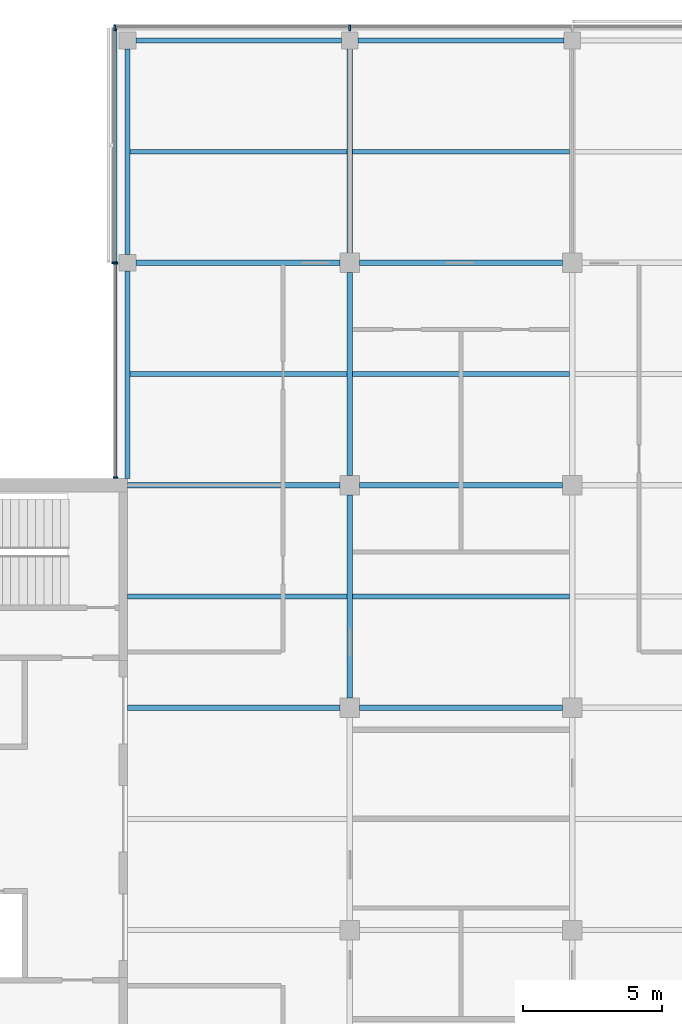
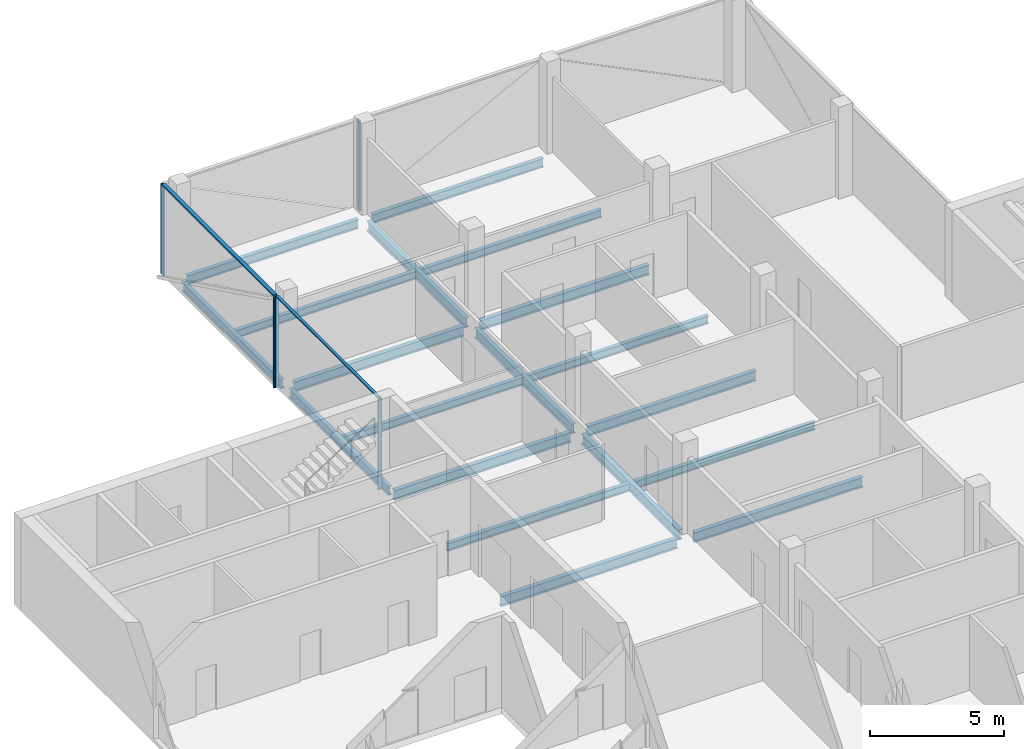
# One storey, part 5 of 16: 19 beams, 7 members, 3 elements without a shape of their own.
"""IFC4 building model written with IfcOpenShell, lengths in metres."""

from ifc_helpers import new_model, si_unit, direction, frame, origin, origin_2d, place, context, subcontext, project, spatial, rectangle, i_section, extrude, material, material_profile, profile_set, type_object, element, aggregate, save


model = new_model("IFC4")

# Units and contexts
model_context = context("Model", 3, precision=1e-05, world=origin(), true_north=direction((0.0, 1.0)))
body_context = subcontext(model_context, "Body", "Model", "MODEL_VIEW")
ifc_project = project(units=[si_unit("LENGTHUNIT", "METRE"), si_unit("AREAUNIT", "SQUARE_METRE"), si_unit("VOLUMEUNIT", "CUBIC_METRE"), si_unit("PLANEANGLEUNIT", "RADIAN"), si_unit("MASSUNIT", "GRAM", prefix="KILO")], contexts=[model_context])

# Site, building, storey
site_placement = place(None, origin())
site = spatial("IfcSite", under=ifc_project, at=site_placement, CompositionType="ELEMENT")
building_placement = place(site_placement, origin())
building = spatial("IfcBuilding", under=site, at=building_placement, Name="Crosswind Convention Tower", CompositionType="ELEMENT")
storey_placement = place(building_placement, frame((0.0, 0.0, 253.5)))
storey = spatial("IfcBuildingStorey", under=building, at=storey_placement, Name="L54", CompositionType="ELEMENT", Elevation=253.5)

# Beams
ifc_material_1 = material(Name="Steel S355", Category="steel")
ifc_material_profile_1 = material_profile(ifc_material_1, i_section(OverallWidth=0.177734375, OverallDepth=0.406494140625, WebThickness=0.0078125, FlangeThickness=0.0126953125, FilletRadius=0.01025390625, at=origin_2d()), Name="UB 406x178x60")
ifc_profile_set_1 = profile_set([ifc_material_profile_1], Name="Steel S355")
beam_type_1 = type_object("IfcBeamType", Name="Edge beam UB 406x178x60", PredefinedType="SPANDREL", material=ifc_profile_set_1)
beam_1_placement = place(storey_placement, frame((113.0, 112.25, -0.503173828125), z_axis=(0.0, 1.0, 0.0), x_axis=(-1.0, 0.0, 0.0)))
element("IfcBeam", 1, at=beam_1_placement, inside=storey, type_object=beam_type_1, Name="B15 L54 edge beam 3", PredefinedType="SPANDREL", context=body_context, shape_type="SweptSolid", body=[
    extrude(i_section(OverallWidth=0.177734375, OverallDepth=0.406494140625, WebThickness=0.0078125, FlangeThickness=0.0126953125, FilletRadius=0.01025390625, at=origin_2d()), origin(), (0.0, 0.0, 1.0), 7.449951171875),
])
for number, where, z_axis, x_axis, name in (
    (2, (113.0, 120.300048828125, -0.503173828125), (0.0, 1.0, 0.0), (-1.0, 0.0, 0.0), "B15 L54 edge beam 4"),
    (3, (113.300048828125, 128.0, -0.503173828125), (1.0, 0.0, 0.0), (0.0, 1.0, 0.0), "B15 L54 edge beam 6"),
    (4, (121.300048828125, 128.0, -0.503173828125), (1.0, 0.0, 0.0), (0.0, 1.0, 0.0), "B15 L54 edge beam 8"),
):
    element("IfcBeam", number, at=place(storey_placement, frame(where, z_axis=z_axis, x_axis=x_axis)), inside=storey, type_object=beam_type_1, Name=name, PredefinedType="SPANDREL", context=body_context, shape_type="SweptSolid", body=[
        extrude(i_section(OverallWidth=0.177734375, OverallDepth=0.406494140625, WebThickness=0.0078125, FlangeThickness=0.0126953125, FilletRadius=0.01025390625, at=origin_2d()), origin(), (0.0, 0.0, 1.0), 7.39990234375),
    ])
ifc_material_profile_2 = material_profile(ifc_material_1, i_section(OverallWidth=0.18994140625, OverallDepth=0.45361328125, WebThickness=0.008544921875, FlangeThickness=0.0126953125, FilletRadius=0.01025390625, at=origin_2d()), Name="UB 457x191x67")
ifc_profile_set_2 = profile_set([ifc_material_profile_2], Name="Steel S355")
beam_type_2 = type_object("IfcBeamType", Name="Girder UB 457x191x67", PredefinedType="BEAM", material=ifc_profile_set_2)
beam_2_placement = place(storey_placement, frame((113.300048828125, 120.0, -0.52685546875), z_axis=(1.0, 0.0, 0.0), x_axis=(0.0, 1.0, 0.0)))
element("IfcBeam", 5, at=beam_2_placement, inside=storey, type_object=beam_type_2, Name="B1 L54 girder 2", PredefinedType="BEAM", context=body_context, shape_type="SweptSolid", body=[
    extrude(i_section(OverallWidth=0.18994140625, OverallDepth=0.45361328125, WebThickness=0.008544921875, FlangeThickness=0.0126953125, FilletRadius=0.01025390625, at=origin_2d()), origin(), (0.0, 0.0, 1.0), 7.349853515625),
])
for number, where, z_axis, x_axis, name in (
    (6, (121.0, 104.35009765625, -0.52685546875), (0.0, 1.0, 0.0), (-1.0, 0.0, 0.0), "B1 L54 girder 7"),
    (7, (121.0, 112.35009765625, -0.52685546875), (0.0, 1.0, 0.0), (-1.0, 0.0, 0.0), "B1 L54 girder 8"),
):
    element("IfcBeam", number, at=place(storey_placement, frame(where, z_axis=z_axis, x_axis=x_axis)), inside=storey, type_object=beam_type_2, Name=name, PredefinedType="BEAM", context=body_context, shape_type="SweptSolid", body=[
        extrude(i_section(OverallWidth=0.18994140625, OverallDepth=0.45361328125, WebThickness=0.008544921875, FlangeThickness=0.0126953125, FilletRadius=0.01025390625, at=origin_2d()), origin(), (0.0, 0.0, 1.0), 7.2998046875),
    ])
beam_3_placement = place(storey_placement, frame((121.0, 120.35009765625, -0.52685546875), z_axis=(0.0, 1.0, 0.0), x_axis=(-1.0, 0.0, 0.0)))
element("IfcBeam", 8, at=beam_3_placement, inside=storey, type_object=beam_type_2, Name="B1 L54 girder 9", PredefinedType="BEAM", context=body_context, shape_type="SweptSolid", body=[
    extrude(i_section(OverallWidth=0.18994140625, OverallDepth=0.45361328125, WebThickness=0.008544921875, FlangeThickness=0.0126953125, FilletRadius=0.01025390625, at=origin_2d()), origin(), (0.0, 0.0, 1.0), 7.349853515625),
])
for number, where, z_axis, x_axis, name in (
    (9, (121.35009765625, 104.0, -0.52685546875), (1.0, 0.0, 0.0), (0.0, 1.0, 0.0), "B1 L54 girder 13"),
    (10, (121.35009765625, 112.0, -0.52685546875), (1.0, 0.0, 0.0), (0.0, 1.0, 0.0), "B1 L54 girder 14"),
    (11, (121.35009765625, 120.0, -0.52685546875), (1.0, 0.0, 0.0), (0.0, 1.0, 0.0), "B1 L54 girder 15"),
):
    element("IfcBeam", number, at=place(storey_placement, frame(where, z_axis=z_axis, x_axis=x_axis)), inside=storey, type_object=beam_type_2, Name=name, PredefinedType="BEAM", context=body_context, shape_type="SweptSolid", body=[
        extrude(i_section(OverallWidth=0.18994140625, OverallDepth=0.45361328125, WebThickness=0.008544921875, FlangeThickness=0.0126953125, FilletRadius=0.01025390625, at=origin_2d()), origin(), (0.0, 0.0, 1.0), 7.2998046875),
    ])
ifc_material_profile_3 = material_profile(ifc_material_1, i_section(OverallWidth=0.1904296875, OverallDepth=0.457275390625, WebThickness=0.009033203125, FlangeThickness=0.014404296875, FilletRadius=0.01025390625, at=origin_2d()), Name="UB 457x191x75")
ifc_profile_set_3 = profile_set([ifc_material_profile_3], Name="Steel S355")
beam_type_3 = type_object("IfcBeamType", Name="Girder at core wall UB 457x191x75", PredefinedType="BEAM", material=ifc_profile_set_3)
for number, where, z_axis, x_axis, name in (
    (12, (113.0, 104.0, -0.528564453125), (1.0, 0.0, 0.0), (0.0, 1.0, 0.0), "B22 L54 girder at core wall 3"),
    (13, (113.0, 112.0, -0.528564453125), (1.0, 0.0, 0.0), (0.0, 1.0, 0.0), "B22 L54 girder at core wall 4"),
):
    element("IfcBeam", number, at=place(storey_placement, frame(where, z_axis=z_axis, x_axis=x_axis)), inside=storey, type_object=beam_type_3, Name=name, PredefinedType="BEAM", context=body_context, shape_type="SweptSolid", body=[
        extrude(i_section(OverallWidth=0.1904296875, OverallDepth=0.457275390625, WebThickness=0.009033203125, FlangeThickness=0.014404296875, FilletRadius=0.01025390625, at=origin_2d()), origin(), (0.0, 0.0, 1.0), 7.64990234375),
    ])

# Curtain wall, members
ifc_material_2 = material(Name="Aluminium unitised curtain wall", Category="aluminium")
curtain_wall_type_1 = type_object("IfcCurtainWallType", Name="CORE END SLOT WALL 160", PredefinedType="USERDEFINED", material=ifc_material_2)
curtain_wall_1_placement = place(storey_placement, origin())
curtain_wall_1 = element("IfcCurtainWall", 14, at=curtain_wall_1_placement, inside=storey, type_object=curtain_wall_type_1, Name="CW6 L54 N-W.1-2 slot", ObjectType="UNITISED", PredefinedType="USERDEFINED")
ifc_material_3 = material(Name="Aluminium mullion", Category="aluminium")
ifc_material_profile_4 = material_profile(ifc_material_3, rectangle(XDim=0.159912109375, YDim=0.050048828125, at=origin_2d()), Name="AL 160X50")
ifc_profile_set_4 = profile_set([ifc_material_profile_4], Name="Aluminium mullion")
member_type_1 = type_object("IfcMemberType", Name="MULLION 50X160", PredefinedType="MULLION", material=ifc_profile_set_4)
member_1_placement = place(storey_placement, frame((112.570068359375, 119.97509765625, -0.300048828125), z_axis=(0.0, 0.0, 1.0), x_axis=(-1.0, 0.0, 0.0)))
member_1 = element("IfcMember", 15, at=member_1_placement, type_object=member_type_1, Name="CW6 mullion 1", PredefinedType="MULLION", context=body_context, shape_type="SweptSolid", body=[
    extrude(rectangle(XDim=0.159912109375, YDim=0.050048828125, at=origin_2d()), origin(), (0.0, 0.0, 1.0), 4.150146484375),
])
member_2_placement = place(storey_placement, frame((112.570068359375, 112.27490234375, -0.300048828125), z_axis=(0.0, 0.0, 1.0), x_axis=(-1.0, 0.0, 0.0)))
member_2 = element("IfcMember", 16, at=member_2_placement, type_object=member_type_1, Name="CW6 mullion 2", PredefinedType="MULLION", context=body_context, shape_type="SweptSolid", body=[
    extrude(rectangle(XDim=0.159912109375, YDim=0.050048828125, at=origin_2d()), origin(), (0.0, 0.0, 1.0), 4.150146484375),
])

curtain_wall_type_2 = type_object("IfcCurtainWallType", Name="OFFICE UNITISED WALL 220", PredefinedType="USERDEFINED", material=ifc_material_2)
curtain_wall_2_placement = place(storey_placement, origin())
curtain_wall_2 = element("IfcCurtainWall", 17, at=curtain_wall_2_placement, inside=storey, type_object=curtain_wall_type_2, Name="CW3 L54 N-TIP 1", ObjectType="UNITISED", PredefinedType="USERDEFINED")
ifc_material_profile_5 = material_profile(ifc_material_3, rectangle(XDim=0.219970703125, YDim=0.070068359375, at=origin_2d()), Name="AL 220X70")
ifc_profile_set_5 = profile_set([ifc_material_profile_5], Name="Aluminium mullion")
member_type_2 = type_object("IfcMemberType", Name="MULLION 70X220", PredefinedType="MULLION", material=ifc_profile_set_5)
member_3_placement = place(storey_placement, frame((121.0, 128.4599609375, -0.300048828125), z_axis=(0.0, 0.0, 1.0), x_axis=(0.0, 1.0, 0.0)))
member_3 = element("IfcMember", 18, at=member_3_placement, type_object=member_type_2, Name="CW3 mullion 3", PredefinedType="MULLION", context=body_context, shape_type="SweptSolid", body=[
    extrude(rectangle(XDim=0.219970703125, YDim=0.070068359375, at=origin_2d()), origin(), (0.0, 0.0, 1.0), 4.130126953125),
])
member_4_placement = place(storey_placement, frame((112.5400390625, 128.4599609375, -0.300048828125), z_axis=(0.0, 0.0, 1.0), x_axis=(0.0, 1.0, 0.0)))
member_4 = element("IfcMember", 19, at=member_4_placement, type_object=member_type_2, Name="CW3 mullion 4", PredefinedType="MULLION", context=body_context, shape_type="SweptSolid", body=[
    extrude(rectangle(XDim=0.219970703125, YDim=0.070068359375, at=origin_2d()), origin(), (0.0, 0.0, 1.0), 4.130126953125),
])
aggregate(curtain_wall_2, [member_3, member_4])

# Curtain wall, member
curtain_wall_3_placement = place(storey_placement, origin())
curtain_wall_3 = element("IfcCurtainWall", 20, at=curtain_wall_3_placement, inside=storey, type_object=curtain_wall_type_2, Name="CW3 L54 N-W 1", ObjectType="UNITISED", PredefinedType="USERDEFINED")
member_5_placement = place(storey_placement, frame((112.5400390625, 120.0, -0.300048828125), z_axis=(0.0, 0.0, 1.0), x_axis=(-1.0, 0.0, 0.0)))
member_5 = element("IfcMember", 21, at=member_5_placement, type_object=member_type_2, Name="CW3 mullion 2", PredefinedType="MULLION", context=body_context, shape_type="SweptSolid", body=[
    extrude(rectangle(XDim=0.219970703125, YDim=0.070068359375, at=origin_2d()), origin(), (0.0, 0.0, 1.0), 4.130126953125),
])

# Beams
ifc_material_profile_6 = material_profile(ifc_material_1, i_section(OverallWidth=0.17138671875, OverallDepth=0.355712890625, WebThickness=0.00732421875, FlangeThickness=0.011474609375, FilletRadius=0.01025390625, at=origin_2d()), Name="UB 356x171x51")
ifc_profile_set_6 = profile_set([ifc_material_profile_6], Name="Steel S355")
beam_type_4 = type_object("IfcBeamType", Name="Secondary beam UB 356x171x51", PredefinedType="JOIST", material=ifc_profile_set_6)
beam_4_placement = place(storey_placement, frame((113.0, 108.0, -0.477783203125), z_axis=(1.0, 0.0, 0.0), x_axis=(0.0, 1.0, 0.0)))
element("IfcBeam", 22, at=beam_4_placement, inside=storey, type_object=beam_type_4, Name="B8 L54 secondary beam 3", PredefinedType="JOIST", context=body_context, shape_type="SweptSolid", body=[
    extrude(i_section(OverallWidth=0.17138671875, OverallDepth=0.355712890625, WebThickness=0.00732421875, FlangeThickness=0.011474609375, FilletRadius=0.01025390625, at=origin_2d()), origin(), (0.0, 0.0, 1.0), 7.905029296875),
])
for number, where, z_axis, x_axis, name in (
    (23, (113.0888671875, 116.0, -0.477783203125), (1.0, 0.0, 0.0), (0.0, 1.0, 0.0), "B8 L54 secondary beam 6"),
    (24, (113.0888671875, 124.0, -0.477783203125), (1.0, 0.0, 0.0), (0.0, 1.0, 0.0), "B8 L54 secondary beam 7"),
):
    element("IfcBeam", number, at=place(storey_placement, frame(where, z_axis=z_axis, x_axis=x_axis)), inside=storey, type_object=beam_type_4, Name=name, PredefinedType="JOIST", context=body_context, shape_type="SweptSolid", body=[
        extrude(i_section(OverallWidth=0.17138671875, OverallDepth=0.355712890625, WebThickness=0.00732421875, FlangeThickness=0.011474609375, FilletRadius=0.01025390625, at=origin_2d()), origin(), (0.0, 0.0, 1.0), 7.816162109375),
    ])
for number, where, z_axis, x_axis, name in (
    (25, (121.094970703125, 108.0, -0.477783203125), (1.0, 0.0, 0.0), (0.0, 1.0, 0.0), "B8 L54 secondary beam 12"),
    (26, (121.094970703125, 116.0, -0.477783203125), (1.0, 0.0, 0.0), (0.0, 1.0, 0.0), "B8 L54 secondary beam 13"),
    (27, (121.094970703125, 124.0, -0.477783203125), (1.0, 0.0, 0.0), (0.0, 1.0, 0.0), "B8 L54 secondary beam 14"),
):
    element("IfcBeam", number, at=place(storey_placement, frame(where, z_axis=z_axis, x_axis=x_axis)), inside=storey, type_object=beam_type_4, Name=name, PredefinedType="JOIST", context=body_context, shape_type="SweptSolid", body=[
        extrude(i_section(OverallWidth=0.17138671875, OverallDepth=0.355712890625, WebThickness=0.00732421875, FlangeThickness=0.011474609375, FilletRadius=0.01025390625, at=origin_2d()), origin(), (0.0, 0.0, 1.0), 7.81005859375),
    ])

# Member
ifc_material_4 = material(Name="Aluminium transom", Category="aluminium")
ifc_material_profile_7 = material_profile(ifc_material_4, rectangle(XDim=0.1201171875, YDim=0.050048828125, at=origin_2d()), Name="AL 120X50")
ifc_profile_set_7 = profile_set([ifc_material_profile_7], Name="Aluminium transom")
member_type_3 = type_object("IfcMemberType", Name="TRANSOM 50X120", PredefinedType="USERDEFINED", material=ifc_profile_set_7)
member_6_placement = place(storey_placement, frame((112.570068359375, 119.949951171875, 3.875), z_axis=(0.0, -1.0, 0.0), x_axis=(1.0, 0.0, 0.0)))
member_6 = element("IfcMember", 28, at=member_6_placement, type_object=member_type_3, Name="CW6 transom", ObjectType="TRANSOM", PredefinedType="USERDEFINED", context=body_context, shape_type="SweptSolid", body=[
    extrude(rectangle(XDim=0.1201171875, YDim=0.050048828125, at=origin_2d()), origin(), (0.0, 0.0, 1.0), 7.64990234375),
])

aggregate(curtain_wall_1, [member_1, member_2, member_6])

ifc_material_profile_8 = material_profile(ifc_material_4, rectangle(XDim=0.159912109375, YDim=0.070068359375, at=origin_2d()), Name="AL 160X70")
ifc_profile_set_8 = profile_set([ifc_material_profile_8], Name="Aluminium transom")
member_type_4 = type_object("IfcMemberType", Name="TRANSOM 70X160", PredefinedType="USERDEFINED", material=ifc_profile_set_8)
member_7_placement = place(storey_placement, frame((112.5400390625, 128.425048828125, 3.864990234375), z_axis=(0.0, -1.0, 0.0), x_axis=(1.0, 0.0, 0.0)))
member_7 = element("IfcMember", 29, at=member_7_placement, type_object=member_type_4, Name="CW3 transom", ObjectType="TRANSOM", PredefinedType="USERDEFINED", context=body_context, shape_type="SweptSolid", body=[
    extrude(rectangle(XDim=0.159912109375, YDim=0.070068359375, at=origin_2d()), origin(), (0.0, 0.0, 1.0), 8.39013671875),
])

aggregate(curtain_wall_3, [member_5, member_7])

save(model, "model.ifc")
